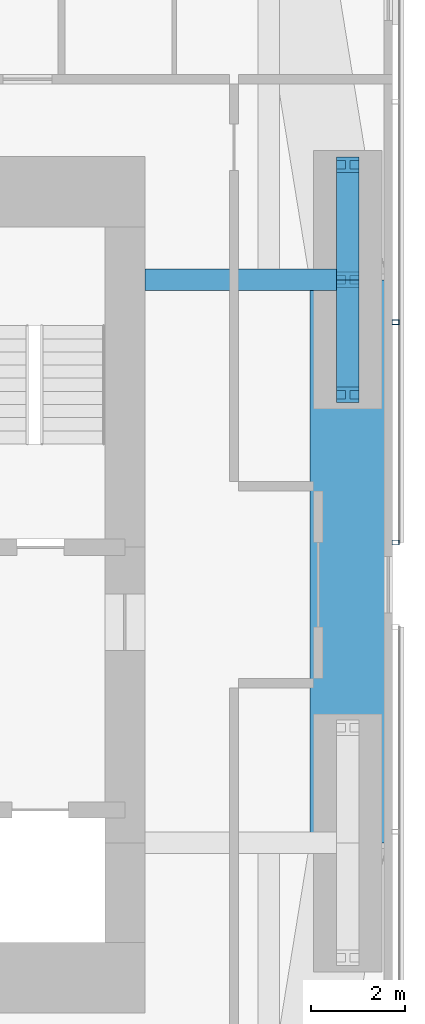
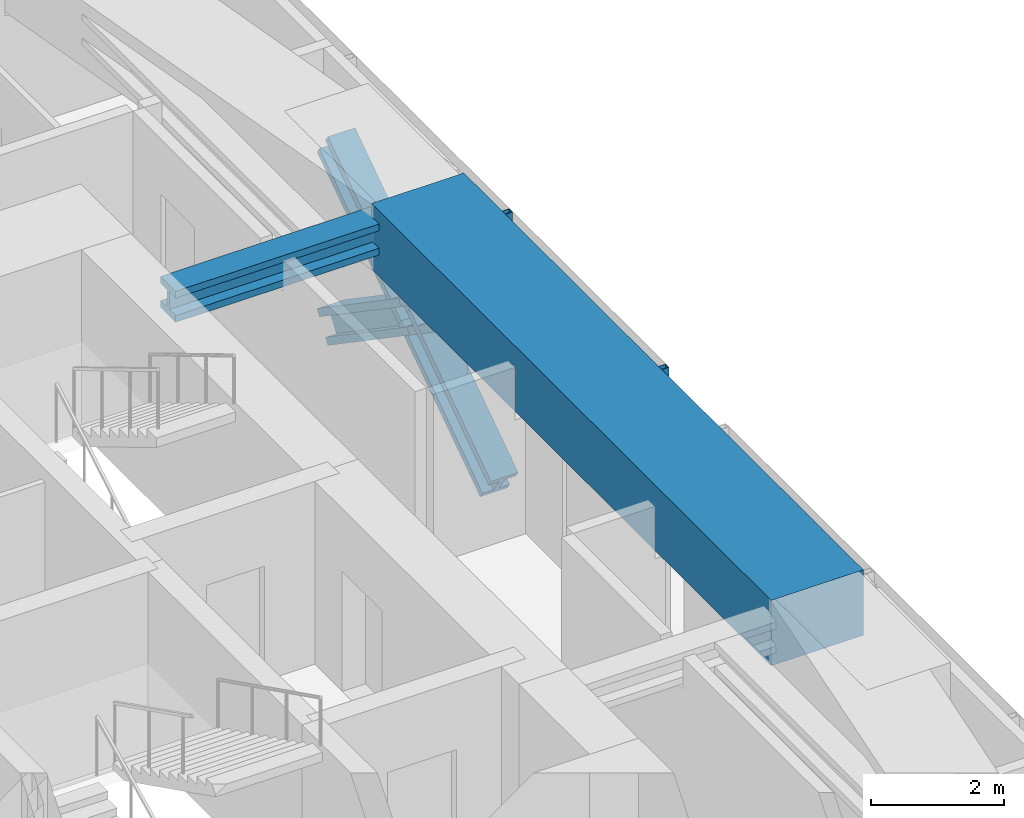
# One storey, part 9 of 23: 6 members, 2 beams, 1 element without a shape of its own.
"""IFC4 building model written with IfcOpenShell, lengths in metres."""

from ifc_helpers import new_model, si_unit, direction, frame, origin, origin_2d, place, context, subcontext, project, spatial, rectangle, hollow_rectangle, i_section, extrude, material, material_profile, profile_set, type_object, element, aggregate, save


model = new_model("IFC4")

# Units and contexts
model_context = context("Model", 3, precision=1e-05, world=origin(), true_north=direction((0.0, 1.0)))
body_context = subcontext(model_context, "Body", "Model", "MODEL_VIEW")
ifc_project = project(units=[si_unit("LENGTHUNIT", "METRE"), si_unit("AREAUNIT", "SQUARE_METRE"), si_unit("VOLUMEUNIT", "CUBIC_METRE"), si_unit("PLANEANGLEUNIT", "RADIAN"), si_unit("MASSUNIT", "GRAM", prefix="KILO")], contexts=[model_context])

# Site, building, storey
site_placement = place(None, origin())
site = spatial("IfcSite", under=ifc_project, at=site_placement, CompositionType="ELEMENT")
building_placement = place(site_placement, origin())
building = spatial("IfcBuilding", under=site, at=building_placement, Name="Jalousie Tower", CompositionType="ELEMENT")
storey_placement = place(building_placement, frame((0.0, 0.0, 114.89990234375)))
storey = spatial("IfcBuildingStorey", under=building, at=storey_placement, Name="L31", CompositionType="ELEMENT", Elevation=114.89990234375)

# Beam
ifc_material_1 = material(Name="Steel ASTM A992 Grade 50", Category="steel")
ifc_material_profile_1 = material_profile(ifc_material_1, i_section(OverallWidth=0.45458984375, OverallDepth=0.569091796875, WebThickness=0.077880859375, FlangeThickness=0.124755859375, at=origin_2d()), Name="W14X730")
ifc_profile_set_1 = profile_set([ifc_material_profile_1], Name="Steel ASTM A992 Grade 50")
beam_type_1 = type_object("IfcBeamType", Name="LEAN COLLECTOR W14X730", PredefinedType="BEAM", material=ifc_profile_set_1)
beam_1_placement = place(storey_placement, frame((48.550048828125, 25.0, 2.82568359375), z_axis=(-1.0, 0.0, 0.0), x_axis=(0.0, -1.0, 0.0)))
element("IfcBeam", 1, at=beam_1_placement, inside=storey, type_object=beam_type_1, Name="Lean collector under L32", PredefinedType="BEAM", context=body_context, shape_type="SweptSolid", body=[
    extrude(i_section(OverallWidth=0.45458984375, OverallDepth=0.569091796875, WebThickness=0.077880859375, FlangeThickness=0.124755859375, at=origin_2d()), origin(), (0.0, 0.0, 1.0), 4.324951171875),
])

# Members
ifc_material_2 = material(Name="Steel ASTM A992 Grade 50", Category="steel")
ifc_material_profile_2 = material_profile(ifc_material_2, i_section(OverallWidth=0.472412109375, OverallDepth=0.5791015625, WebThickness=0.094970703125, FlangeThickness=0.1298828125, at=origin_2d()), Name="W14X808")
ifc_profile_set_2 = profile_set([ifc_material_profile_2], Name="Steel ASTM A992 Grade 50")
member_type_1 = type_object("IfcMemberType", Name="PERIMETER BRACE W14X808", PredefinedType="BRACE", material=ifc_profile_set_2)
for number, where, z_axis, x_axis, name in (
    (2, (48.550048828125, 22.550048828125, -0.599853515625), (0.0, 0.825500916831, 0.564400776321), (-1.0, 0.0, 0.0), "Perimeter brace 07 L31 part 1"),
    (3, (48.550048828125, 25.0, 1.0751953125), (0.0, 0.825539243753, 0.564344714713), (-1.0, 0.0, 0.0), "Perimeter brace 07 L31 part 2"),
    (4, (48.550048828125, 27.449951171875, -0.599853515625), (0.0, -0.825500916831, 0.564400776321), (1.0, 0.0, 0.0), "Perimeter brace 07 L31 part 3"),
    (5, (48.550048828125, 25.0, 1.0751953125), (0.0, -0.825539243753, 0.564344714713), (1.0, 0.0, 0.0), "Perimeter brace 07 L31 part 4"),
):
    element("IfcMember", number, at=place(storey_placement, frame(where, z_axis=z_axis, x_axis=x_axis)), inside=storey, type_object=member_type_1, Name=name, PredefinedType="BRACE", context=body_context, shape_type="SweptSolid", body=[
        extrude(i_section(OverallWidth=0.472412109375, OverallDepth=0.5791015625, WebThickness=0.094970703125, FlangeThickness=0.1298828125, at=origin_2d()), origin(), (0.0, 0.0, 1.0), 2.9677734375),
    ])

# Beam
ifc_material_3 = material(Name="Concrete f'c 40 MPa", Category="concrete")
ifc_material_profile_3 = material_profile(ifc_material_3, rectangle(XDim=1.60009765625, YDim=1.199951171875, at=origin_2d()), Name="RC 1600x1200")
ifc_profile_set_3 = profile_set([ifc_material_profile_3], Name="Concrete f'c 40 MPa")
beam_type_2 = type_object("IfcBeamType", Name="RC BEAM 1600x1200", PredefinedType="BEAM", material=ifc_profile_set_3)
beam_2_placement = place(storey_placement, frame((48.550048828125, 13.0, 2.75), z_axis=(0.0, 1.0, 0.0), x_axis=(-1.0, 0.0, 0.0)))
element("IfcBeam", 6, at=beam_2_placement, inside=storey, type_object=beam_type_2, Name="Edge band beam 06-07 under L32", PredefinedType="BEAM", context=body_context, shape_type="SweptSolid", body=[
    extrude(rectangle(XDim=1.60009765625, YDim=1.199951171875, at=origin_2d()), origin(), (0.0, 0.0, 1.0), 12.0),
])

# Curtain wall, members
ifc_material_4 = material(Name="Perforated aluminium sheet", Category="aluminium")
curtain_wall_type = type_object("IfcCurtainWallType", Name="SOLAR SCREEN SS-1", PredefinedType="USERDEFINED", material=ifc_material_4)
curtain_wall_placement = place(storey_placement, origin())
curtain_wall = element("IfcCurtainWall", 7, at=curtain_wall_placement, inside=storey, type_object=curtain_wall_type, Name="Solar screen L31", ObjectType="SOLAR SCREEN SS-1", PredefinedType="USERDEFINED")
ifc_material_5 = material(Name="Steel ASTM A500 Grade C", Category="steel")
ifc_material_profile_4 = material_profile(ifc_material_5, hollow_rectangle(XDim=0.1015625, YDim=0.15234375, WallThickness=0.00634765625, at=origin_2d()), Name="HSS6X4X1/4")
ifc_profile_set_4 = profile_set([ifc_material_profile_4], Name="Steel ASTM A500 Grade C")
member_type_2 = type_object("IfcMemberType", Name="SOLAR SCREEN SS-1 MULLION", PredefinedType="MULLION", material=ifc_profile_set_4)
member_1_placement = place(storey_placement, frame((49.5712890625, 19.39990234375, -0.119873046875), z_axis=(0.0, 0.0, 1.0), x_axis=(0.0, 1.0, 0.0)))
member_1 = element("IfcMember", 8, at=member_1_placement, type_object=member_type_2, Name="SS1 post 1", PredefinedType="MULLION", context=body_context, shape_type="SweptSolid", body=[
    extrude(hollow_rectangle(XDim=0.1015625, YDim=0.15234375, WallThickness=0.00634765625, at=origin_2d()), origin(), (0.0, 0.0, 1.0), 3.22998046875),
])
member_2_placement = place(storey_placement, frame((49.5712890625, 24.095458984375, -0.119873046875), z_axis=(0.0, 0.0, 1.0), x_axis=(0.0, 1.0, 0.0)))
member_2 = element("IfcMember", 9, at=member_2_placement, type_object=member_type_2, Name="SS1 post 2", PredefinedType="MULLION", context=body_context, shape_type="SweptSolid", body=[
    extrude(hollow_rectangle(XDim=0.1015625, YDim=0.15234375, WallThickness=0.00634765625, at=origin_2d()), origin(), (0.0, 0.0, 1.0), 3.22998046875),
])
aggregate(curtain_wall, [member_1, member_2])

save(model, "model.ifc")
